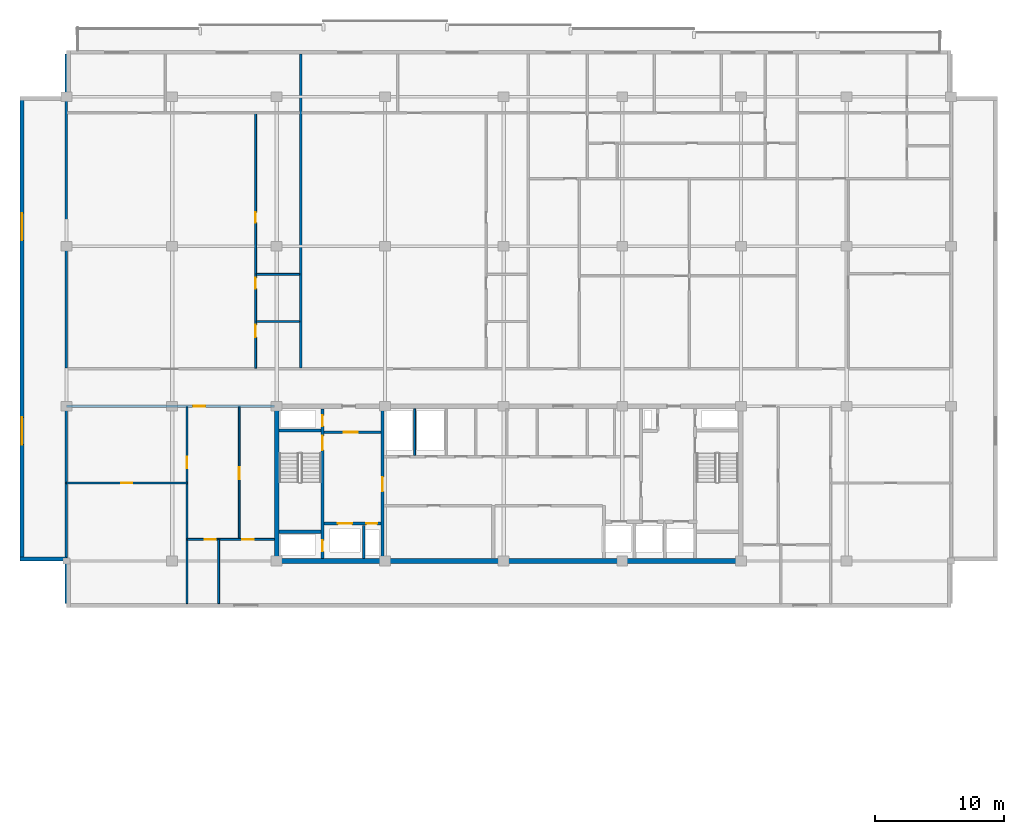
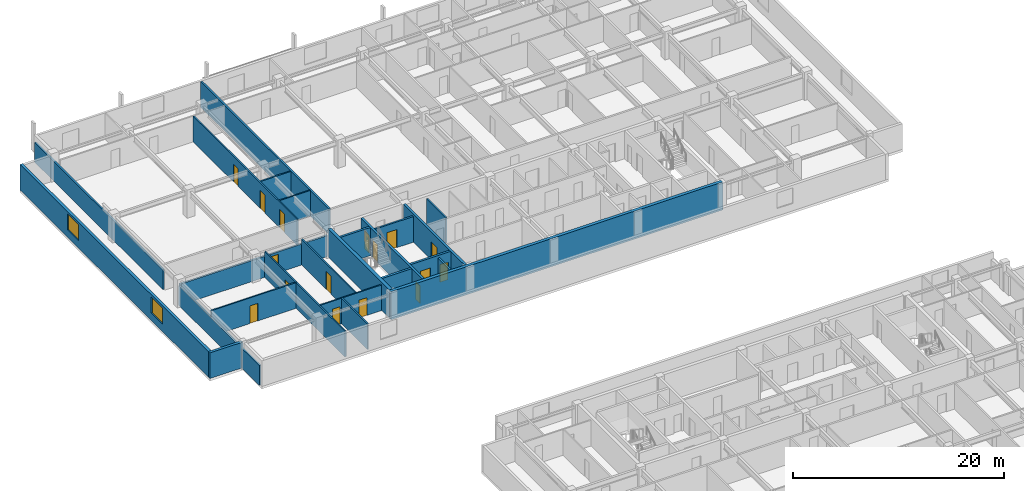
# One storey, part 11 of 22: 24 walls, 16 doors, 2 windows, 18 openings.
"""IFC4 building model written with IfcOpenShell, lengths in metres."""

from ifc_helpers import new_model, si_unit, direction, frame, frame_2d, origin, place, context, subcontext, project, spatial, rectangle, extrude, material, layer, layer_set, type_object, element, fill, save


model = new_model("IFC4")

# Units and contexts
model_context = context("Model", 3, precision=1e-05, world=origin(), true_north=direction((0.0, 1.0)))
body_context = subcontext(model_context, "Body", "Model", "MODEL_VIEW")
ifc_project = project(units=[si_unit("LENGTHUNIT", "METRE"), si_unit("AREAUNIT", "SQUARE_METRE"), si_unit("VOLUMEUNIT", "CUBIC_METRE"), si_unit("PLANEANGLEUNIT", "RADIAN"), si_unit("MASSUNIT", "GRAM", prefix="KILO")], contexts=[model_context])

# Site, building, storey
site_placement = place(None, origin())
site = spatial("IfcSite", under=ifc_project, at=site_placement, CompositionType="ELEMENT")
building_placement = place(site_placement, origin())
building = spatial("IfcBuilding", under=site, at=building_placement, Name="Korimba Cascade Residences", CompositionType="ELEMENT")
storey_placement = place(building_placement, frame((0.0, 0.0, 191.35009765625)))
storey = spatial("IfcBuildingStorey", under=building, at=storey_placement, Name="L55", CompositionType="ELEMENT", Elevation=191.35009765625)

# Wall, openings, windows
ifc_material_1 = material(Name="Precast concrete C40/50", Category="concrete")
ifc_layer_1 = layer(ifc_material_1, 0.300048828125)
ifc_layer_set_1 = layer_set([ifc_layer_1], Name="Precast concrete C40/50")
wall_type_1 = type_object("IfcWallType", Name="EW-STONE-300", PredefinedType="STANDARD", material=ifc_layer_set_1)
wall_1_placement = place(storey_placement, frame((56.35009765625, 91.199951171875, 0.0), z_axis=(0.0, 0.0, 1.0), x_axis=(0.0, -1.0, 0.0)))
wall_1 = element("IfcWall", 1, at=wall_1_placement, inside=storey, type_object=wall_type_1, Name="L55 T1 Perimeter Stone Wall E09", PredefinedType="STANDARD", context=body_context, shape_type="SweptSolid", body=[
    extrude(rectangle(XDim=36.0, YDim=0.300048828125, at=frame_2d((18.0, 0.0))), origin(), (0.0, 0.0, 1.0), 2.969970703125),
])
opening_1_placement = place(wall_1_placement, frame((9.030029296875, 0.0, 0.85009765625)))
opening_1 = element("IfcOpeningElement", 2, at=opening_1_placement, cuts=wall_1, Name="Opening W-03", PredefinedType="OPENING", context=body_context, shape_type="SweptSolid", body=[
    extrude(rectangle(XDim=2.10009765625, YDim=1.85009765625, at=frame_2d((1.050048828125, 0.925048828125))), frame((0.0, 0.16015625, 0.0), z_axis=(0.0, -1.0, 0.0), x_axis=(1.0, 0.0, 0.0)), (0.0, 0.0, 1.0), 0.320068359375),
])
opening_2_placement = place(wall_1_placement, frame((24.8701171875, 0.0, 0.85009765625)))
opening_2 = element("IfcOpeningElement", 3, at=opening_2_placement, cuts=wall_1, Name="Opening W-03", PredefinedType="OPENING", context=body_context, shape_type="SweptSolid", body=[
    extrude(rectangle(XDim=2.10009765625, YDim=1.85009765625, at=frame_2d((1.050048828125, 0.925048828125))), frame((0.0, 0.16015625, 0.0), z_axis=(0.0, -1.0, 0.0), x_axis=(1.0, 0.0, 0.0)), (0.0, 0.0, 1.0), 0.320068359375),
])
ifc_material_2 = material(Name="Double-Glazed Aluminium Window", Category="aluminium")
window_type = type_object("IfcWindowType", Name="WIN-CRN-2100", PartitioningType="DOUBLE_PANEL_HORIZONTAL", PredefinedType="WINDOW", material=ifc_material_2)
window_1_placement = place(opening_1_placement, origin())
window_1 = element("IfcWindow", 4, at=window_1_placement, inside=storey, type_object=window_type, Name="L55 T1 End View Window 9.1", OverallHeight=1.85009765625, OverallWidth=2.10009765625, PartitioningType="DOUBLE_PANEL_HORIZONTAL", PredefinedType="WINDOW", context=body_context, shape_type="SweptSolid", body=[
    extrude(rectangle(XDim=2.10009765625, YDim=1.85009765625, at=frame_2d((1.050048828125, 0.925048828125))), frame((0.0, 0.030029296875, 0.0), z_axis=(0.0, -1.0, 0.0), x_axis=(1.0, 0.0, 0.0)), (0.0, 0.0, 1.0), 0.06005859375),
])
fill(opening_1, window_1)
window_2_placement = place(opening_2_placement, origin())
window_2 = element("IfcWindow", 5, at=window_2_placement, inside=storey, type_object=window_type, Name="L55 T1 End View Window 9.2", OverallHeight=1.85009765625, OverallWidth=2.10009765625, PartitioningType="DOUBLE_PANEL_HORIZONTAL", PredefinedType="WINDOW", context=body_context, shape_type="SweptSolid", body=[
    extrude(rectangle(XDim=2.10009765625, YDim=1.85009765625, at=frame_2d((1.050048828125, 0.925048828125))), frame((0.0, 0.030029296875, 0.0), z_axis=(0.0, -1.0, 0.0), x_axis=(1.0, 0.0, 0.0)), (0.0, 0.0, 1.0), 0.06005859375),
])
fill(opening_2, window_2)

# Walls
wall_2_placement = place(storey_placement, frame((56.199951171875, 55.35009765625, 0.0), z_axis=(0.0, 0.0, 1.0), x_axis=(1.0, 0.0, 0.0)))
element("IfcWall", 6, at=wall_2_placement, inside=storey, type_object=wall_type_1, Name="L55 T1 Perimeter Stone Wall E10", PredefinedType="STANDARD", context=body_context, shape_type="SweptSolid", body=[
    extrude(rectangle(XDim=3.60009765625, YDim=0.300048828125, at=frame_2d((1.800048828125, 0.0))), origin(), (0.0, 0.0, 1.0), 2.969970703125),
])
ifc_material_3 = material(Name="Concrete C65/80", Category="concrete")
ifc_layer_2 = layer(ifc_material_3, 0.35009765625)
ifc_layer_set_2 = layer_set([ifc_layer_2], Name="Concrete C65/80")
wall_type_2 = type_object("IfcWallType", Name="WAL-CORE-350", PredefinedType="SHEAR", material=ifc_layer_set_2)
wall_3_placement = place(storey_placement, frame((75.949951171875, 55.199951171875, 0.0), z_axis=(0.0, 0.0, 1.0), x_axis=(1.0, 0.0, 0.0)))
element("IfcWall", 7, at=wall_3_placement, inside=storey, type_object=wall_type_2, Name="L55 Core Shear Wall CW-L55-T1-S", PredefinedType="SHEAR", context=body_context, shape_type="SweptSolid", body=[
    extrude(rectangle(XDim=36.300048828125, YDim=0.35009765625, at=frame_2d((18.14990234375, 0.0))), origin(), (0.0, 0.0, 1.0), 3.25),
])
wall_4_placement = place(storey_placement, frame((76.125, 55.375, 0.0), z_axis=(0.0, 0.0, 1.0), x_axis=(0.0, 1.0, 0.0)))
element("IfcWall", 8, at=wall_4_placement, inside=storey, type_object=wall_type_2, Name="L55 Core Shear Wall CW-L55-T1-W", PredefinedType="SHEAR", context=body_context, shape_type="SweptSolid", body=[
    extrude(rectangle(XDim=11.64990234375, YDim=0.35009765625, at=frame_2d((5.824951171875, 0.0))), origin(), (0.0, 0.0, 1.0), 3.25),
])
ifc_layer_3 = layer(ifc_material_1, 0.199951171875)
ifc_layer_set_3 = layer_set([ifc_layer_3], Name="Precast concrete C40/50")
wall_type_3 = type_object("IfcWallType", Name="WAL-IT-200", PredefinedType="PARTITIONING", material=ifc_layer_set_3)
wall_5_placement = place(storey_placement, frame((59.800048828125, 51.89990234375, 0.0), z_axis=(0.0, 0.0, 1.0), x_axis=(0.0, 1.0, 0.0)))
element("IfcWall", 9, at=wall_5_placement, inside=storey, type_object=wall_type_3, Name="L55 Partition Wall WAL-L55-T1-FW-WL", PredefinedType="PARTITIONING", context=body_context, shape_type="SweptSolid", body=[
    extrude(rectangle(XDim=15.300048828125, YDim=0.199951171875, at=frame_2d((7.64990234375, 0.0))), origin(), (0.0, 0.0, 1.0), 2.277099609375),
])

# Wall, opening, door
wall_6_placement = place(storey_placement, frame((59.800048828125, 67.199951171875, 0.0), z_axis=(0.0, 0.0, 1.0), x_axis=(1.0, 0.0, 0.0)))
wall_6 = element("IfcWall", 10, at=wall_6_placement, inside=storey, type_object=wall_type_3, Name="L55 Partition Wall WAL-L55-T1-FW-N", PredefinedType="PARTITIONING", context=body_context, shape_type="SweptSolid", body=[
    extrude(rectangle(XDim=16.14990234375, YDim=0.199951171875, at=frame_2d((8.074951171875, 0.0))), origin(), (0.0, 0.0, 1.0), 2.43310546875),
])
opening_3_placement = place(wall_6_placement, frame((9.823486328125, 0.0, 0.0)))
opening_3 = element("IfcOpeningElement", 11, at=opening_3_placement, cuts=wall_6, Name="Opening D-UN1", PredefinedType="OPENING", context=body_context, shape_type="SweptSolid", body=[
    extrude(rectangle(XDim=0.949951171875, YDim=2.14990234375, at=frame_2d((0.47509765625, 1.074951171875))), frame((0.0, 0.10986328125, 0.0), z_axis=(0.0, -1.0, 0.0), x_axis=(1.0, 0.0, 0.0)), (0.0, 0.0, 1.0), 0.219970703125),
])
ifc_material_4 = material(Name="Fire-Rated Hardwood Apartment Entrance Door", Category="wood")
door_type_1 = type_object("IfcDoorType", Name="DR-FD60-950", OperationType="NOTDEFINED", PredefinedType="DOOR", material=ifc_material_4)
door_1_placement = place(opening_3_placement, origin())
door_1 = element("IfcDoor", 12, at=door_1_placement, inside=storey, type_object=door_type_1, Name="L55-T1-FW Entrance Door", OperationType="SINGLE_SWING_RIGHT", OverallHeight=2.14990234375, OverallWidth=0.949951171875, PredefinedType="DOOR", context=body_context, shape_type="SweptSolid", body=[
    extrude(rectangle(XDim=0.949951171875, YDim=2.14990234375, at=frame_2d((0.47509765625, 1.074951171875))), frame((0.0, 0.02490234375, 0.0), z_axis=(0.0, -1.0, 0.0), x_axis=(1.0, 0.0, 0.0)), (0.0, 0.0, 1.0), 0.050048828125),
])
fill(opening_3, door_1)

# Walls
wall_7_placement = place(storey_placement, frame((59.800048828125, 70.179931640625, 0.0), z_axis=(0.0, 0.0, 1.0), x_axis=(0.0, 1.0, 0.0)))
element("IfcWall", 13, at=wall_7_placement, inside=storey, type_object=wall_type_3, Name="L55 Partition Wall WAL-L55-T1-BNDWL", PredefinedType="PARTITIONING", context=body_context, shape_type="SweptSolid", body=[
    extrude(rectangle(XDim=24.320068359375, YDim=0.199951171875, at=frame_2d((12.16015625, 0.0))), origin(), (0.0, 0.0, 1.0), 2.277099609375),
])
wall_8_placement = place(storey_placement, frame((77.96826171875, 70.179931640625, 0.0), z_axis=(0.0, 0.0, 1.0), x_axis=(0.0, 1.0, 0.0)))
element("IfcWall", 14, at=wall_8_placement, inside=storey, type_object=wall_type_3, Name="L55 Partition Wall WAL-L55-T1-DEM-1", PredefinedType="PARTITIONING", context=body_context, shape_type="SweptSolid", body=[
    extrude(rectangle(XDim=24.320068359375, YDim=0.199951171875, at=frame_2d((12.16015625, 0.0))), origin(), (0.0, 0.0, 1.0), 2.969970703125),
])
ifc_material_5 = material(Name="Insulated Acoustic Stud Partition", Category="gypsum")
ifc_layer_4 = layer(ifc_material_5, 0.14990234375)
ifc_layer_set_4 = layer_set([ifc_layer_4], Name="Insulated Acoustic Stud Partition")
wall_type_4 = type_object("IfcWallType", Name="WAL-PART-150", PredefinedType="PARTITIONING", material=ifc_layer_set_4)
wall_9_placement = place(storey_placement, frame((86.800048828125, 63.39990234375, 0.0), z_axis=(0.0, 0.0, 1.0), x_axis=(0.0, 1.0, 0.0)))
element("IfcWall", 15, at=wall_9_placement, inside=storey, type_object=wall_type_4, Name="L55 Partition Wall CW-L55-T1-ERDIV", PredefinedType="PARTITIONING", context=body_context, shape_type="SweptSolid", body=[
    extrude(rectangle(XDim=3.60009765625, YDim=0.14990234375, at=frame_2d((1.800048828125, 0.0))), origin(), (0.0, 0.0, 1.0), 2.969970703125),
])

# Wall, opening, door
wall_10_placement = place(storey_placement, frame((59.800048828125, 61.25, 0.0), z_axis=(0.0, 0.0, 1.0), x_axis=(1.0, 0.0, 0.0)))
wall_10 = element("IfcWall", 16, at=wall_10_placement, inside=storey, type_object=wall_type_4, Name="L55 Partition Wall WAL-L55-T1-FW-STH", PredefinedType="PARTITIONING", context=body_context, shape_type="SweptSolid", body=[
    extrude(rectangle(XDim=9.349853515625, YDim=0.14990234375, at=frame_2d((4.6748046875, 0.0))), origin(), (0.0, 0.0, 1.0), 2.969970703125),
])
opening_4_placement = place(wall_10_placement, frame((4.2548828125, 0.0, 0.0)))
opening_4 = element("IfcOpeningElement", 17, at=opening_4_placement, cuts=wall_10, Name="Opening D-BT1", PredefinedType="OPENING", context=body_context, shape_type="SweptSolid", body=[
    extrude(rectangle(XDim=0.840087890625, YDim=2.0400390625, at=frame_2d((0.419921875, 1.02001953125))), frame((0.0, 0.0849609375, 0.0), z_axis=(0.0, -1.0, 0.0), x_axis=(1.0, 0.0, 0.0)), (0.0, 0.0, 1.0), 0.169921875),
])
ifc_material_6 = material(Name="Moisture-Resistant Bathroom Timber Door", Category="wood")
door_type_2 = type_object("IfcDoorType", Name="DR-INT-850", OperationType="NOTDEFINED", PredefinedType="DOOR", material=ifc_material_6)
door_2_placement = place(opening_4_placement, origin())
door_2 = element("IfcDoor", 18, at=door_2_placement, inside=storey, type_object=door_type_2, Name="L55-T1-FW Dressing Store Door", OperationType="SINGLE_SWING_LEFT", OverallHeight=2.0400390625, OverallWidth=0.840087890625, PredefinedType="DOOR", context=body_context, shape_type="SweptSolid", body=[
    extrude(rectangle(XDim=0.840087890625, YDim=2.0400390625, at=frame_2d((0.419921875, 1.02001953125))), frame((0.0, 0.02490234375, 0.0), z_axis=(0.0, -1.0, 0.0), x_axis=(1.0, 0.0, 0.0)), (0.0, 0.0, 1.0), 0.050048828125),
])
fill(opening_4, door_2)

wall_11_placement = place(storey_placement, frame((69.14990234375, 51.89990234375, 0.0), z_axis=(0.0, 0.0, 1.0), x_axis=(0.0, 1.0, 0.0)))
wall_11 = element("IfcWall", 19, at=wall_11_placement, inside=storey, type_object=wall_type_4, Name="L55 Partition Wall WAL-L55-T1-FW-STV", PredefinedType="PARTITIONING", context=body_context, shape_type="SweptSolid", body=[
    extrude(rectangle(XDim=15.25, YDim=0.14990234375, at=frame_2d((7.625, 0.0))), origin(), (0.0, 0.0, 1.0), 2.969970703125),
])
opening_5_placement = place(wall_11_placement, frame((10.5, 0.0, 0.0)))
opening_5 = element("IfcOpeningElement", 20, at=opening_5_placement, cuts=wall_11, Name="Opening D-IN2", PredefinedType="OPENING", context=body_context, shape_type="SweptSolid", body=[
    extrude(rectangle(XDim=0.8798828125, YDim=2.06005859375, at=frame_2d((0.43994140625, 1.030029296875))), frame((0.0, 0.0849609375, 0.0), z_axis=(0.0, -1.0, 0.0), x_axis=(1.0, 0.0, 0.0)), (0.0, 0.0, 1.0), 0.169921875),
])
ifc_material_7 = material(Name="Acoustic Timber Bedroom Door", Category="wood")
door_type_3 = type_object("IfcDoorType", Name="DR-INT-880", OperationType="NOTDEFINED", PredefinedType="DOOR", material=ifc_material_7)
door_3_placement = place(opening_5_placement, origin())
door_3 = element("IfcDoor", 21, at=door_3_placement, inside=storey, type_object=door_type_3, Name="L55-T1-FW Study Door", OperationType="SINGLE_SWING_RIGHT", OverallHeight=2.06005859375, OverallWidth=0.8798828125, PredefinedType="DOOR", context=body_context, shape_type="SweptSolid", body=[
    extrude(rectangle(XDim=0.8798828125, YDim=2.06005859375, at=frame_2d((0.43994140625, 1.030029296875))), frame((0.0, 0.02490234375, 0.0), z_axis=(0.0, -1.0, 0.0), x_axis=(1.0, 0.0, 0.0)), (0.0, 0.0, 1.0), 0.050048828125),
])
fill(opening_5, door_3)

wall_12_placement = place(storey_placement, frame((73.199951171875, 56.8701171875, 0.0), z_axis=(0.0, 0.0, 1.0), x_axis=(0.0, 1.0, 0.0)))
wall_12 = element("IfcWall", 22, at=wall_12_placement, inside=storey, type_object=wall_type_4, Name="L55 Partition Wall WAL-L55-T1-FW-VN", PredefinedType="PARTITIONING", context=body_context, shape_type="SweptSolid", body=[
    extrude(rectangle(XDim=10.27978515625, YDim=0.14990234375, at=frame_2d((5.139892578125, 0.0))), origin(), (0.0, 0.0, 1.0), 2.969970703125),
])
opening_6_placement = place(wall_12_placement, frame((4.679931640625, 0.0, 0.0)))
opening_6 = element("IfcOpeningElement", 23, at=opening_6_placement, cuts=wall_12, Name="Opening D-IN1", PredefinedType="OPENING", context=body_context, shape_type="SweptSolid", body=[
    extrude(rectangle(XDim=0.919921875, YDim=2.080078125, at=frame_2d((0.4599609375, 1.0400390625))), frame((0.0, 0.0849609375, 0.0), z_axis=(0.0, -1.0, 0.0), x_axis=(1.0, 0.0, 0.0)), (0.0, 0.0, 1.0), 0.169921875),
])
ifc_material_8 = material(Name="Acoustic Timber Living Door", Category="wood")
door_type_4 = type_object("IfcDoorType", Name="DR-INT-920", OperationType="NOTDEFINED", PredefinedType="DOOR", material=ifc_material_8)
door_4_placement = place(opening_6_placement, origin())
door_4 = element("IfcDoor", 24, at=door_4_placement, inside=storey, type_object=door_type_4, Name="L55-T1-FW Living Door", OperationType="SINGLE_SWING_LEFT", OverallHeight=2.080078125, OverallWidth=0.919921875, PredefinedType="DOOR", context=body_context, shape_type="SweptSolid", body=[
    extrude(rectangle(XDim=0.919921875, YDim=2.080078125, at=frame_2d((0.4599609375, 1.0400390625))), frame((0.0, 0.02490234375, 0.0), z_axis=(0.0, -1.0, 0.0), x_axis=(1.0, 0.0, 0.0)), (0.0, 0.0, 1.0), 0.050048828125),
])
fill(opening_6, door_4)

# Wall
wall_13_placement = place(storey_placement, frame((71.60009765625, 51.89990234375, 0.0), z_axis=(0.0, 0.0, 1.0), x_axis=(0.0, 1.0, 0.0)))
element("IfcWall", 25, at=wall_13_placement, inside=storey, type_object=wall_type_4, Name="L55 Partition Wall WAL-L55-T1-FW-VS", PredefinedType="PARTITIONING", context=body_context, shape_type="SweptSolid", body=[
    extrude(rectangle(XDim=4.97021484375, YDim=0.14990234375, at=frame_2d((2.485107421875, 0.0))), origin(), (0.0, 0.0, 1.0), 2.969970703125),
])

# Wall, openings, doors
wall_14_placement = place(storey_placement, frame((69.169921875, 56.8701171875, 0.0), z_axis=(0.0, 0.0, 1.0), x_axis=(1.0, 0.0, 0.0)))
wall_14 = element("IfcWall", 26, at=wall_14_placement, inside=storey, type_object=wall_type_4, Name="L55 Partition Wall WAL-L55-T1-FW-H", PredefinedType="PARTITIONING", context=body_context, shape_type="SweptSolid", body=[
    extrude(rectangle(XDim=6.760009765625, YDim=0.14990234375, at=frame_2d((3.3798828125, 0.0))), origin(), (0.0, 0.0, 1.0), 2.969970703125),
])
opening_7_placement = place(wall_14_placement, frame((1.3623046875, 0.0, 0.0)))
opening_7 = element("IfcOpeningElement", 27, at=opening_7_placement, cuts=wall_14, Name="Opening D-BT1", PredefinedType="OPENING", context=body_context, shape_type="SweptSolid", body=[
    extrude(rectangle(XDim=0.840087890625, YDim=2.0400390625, at=frame_2d((0.419921875, 1.02001953125))), frame((0.0, 0.0849609375, 0.0), z_axis=(0.0, -1.0, 0.0), x_axis=(1.0, 0.0, 0.0)), (0.0, 0.0, 1.0), 0.169921875),
])
opening_8_placement = place(wall_14_placement, frame((4.276611328125, 0.0, 0.0)))
opening_8 = element("IfcOpeningElement", 28, at=opening_8_placement, cuts=wall_14, Name="Opening D-IN2", PredefinedType="OPENING", context=body_context, shape_type="SweptSolid", body=[
    extrude(rectangle(XDim=0.8798828125, YDim=2.06005859375, at=frame_2d((0.43994140625, 1.030029296875))), frame((0.0, 0.0849609375, 0.0), z_axis=(0.0, -1.0, 0.0), x_axis=(1.0, 0.0, 0.0)), (0.0, 0.0, 1.0), 0.169921875),
])
door_5_placement = place(opening_7_placement, origin())
door_5 = element("IfcDoor", 29, at=door_5_placement, inside=storey, type_object=door_type_2, Name="L55-T1-FW Bathroom Door", OperationType="SINGLE_SWING_RIGHT", OverallHeight=2.0400390625, OverallWidth=0.840087890625, PredefinedType="DOOR", context=body_context, shape_type="SweptSolid", body=[
    extrude(rectangle(XDim=0.840087890625, YDim=2.0400390625, at=frame_2d((0.419921875, 1.02001953125))), frame((0.0, 0.02490234375, 0.0), z_axis=(0.0, -1.0, 0.0), x_axis=(1.0, 0.0, 0.0)), (0.0, 0.0, 1.0), 0.050048828125),
])
fill(opening_7, door_5)
door_6_placement = place(opening_8_placement, origin())
door_6 = element("IfcDoor", 30, at=door_6_placement, inside=storey, type_object=door_type_3, Name="L55-T1-FW Bedroom Door", OperationType="SINGLE_SWING_LEFT", OverallHeight=2.06005859375, OverallWidth=0.8798828125, PredefinedType="DOOR", context=body_context, shape_type="SweptSolid", body=[
    extrude(rectangle(XDim=0.8798828125, YDim=2.06005859375, at=frame_2d((0.43994140625, 1.030029296875))), frame((0.0, 0.02490234375, 0.0), z_axis=(0.0, -1.0, 0.0), x_axis=(1.0, 0.0, 0.0)), (0.0, 0.0, 1.0), 0.050048828125),
])
fill(opening_8, door_6)

# Walls
for number, where, z_axis, x_axis, name in (
    (31, (74.5283203125, 73.77001953125, 0.0), (0.0, 0.0, 1.0), (1.0, 0.0, 0.0), "L55 Partition Wall WAL-L55-T1-U01-WCH"),
    (32, (74.5283203125, 77.419921875, 0.0), (0.0, 0.0, 1.0), (1.0, 0.0, 0.0), "L55 Partition Wall WAL-L55-T1-U01-WCH2"),
):
    element("IfcWall", number, at=place(storey_placement, frame(where, z_axis=z_axis, x_axis=x_axis)), inside=storey, type_object=wall_type_4, Name=name, PredefinedType="PARTITIONING", context=body_context, shape_type="SweptSolid", body=[
        extrude(rectangle(XDim=3.35986328125, YDim=0.14990234375, at=frame_2d((1.679931640625, 0.0))), origin(), (0.0, 0.0, 1.0), 2.969970703125),
    ])

# Wall, openings, doors
wall_15_placement = place(storey_placement, frame((74.46826171875, 70.159912109375, 0.0), z_axis=(0.0, 0.0, 1.0), x_axis=(0.0, 1.0, 0.0)))
wall_15 = element("IfcWall", 33, at=wall_15_placement, inside=storey, type_object=wall_type_4, Name="L55 Partition Wall WAL-L55-T1-U01-WCV", PredefinedType="PARTITIONING", context=body_context, shape_type="SweptSolid", body=[
    extrude(rectangle(XDim=19.72998046875, YDim=0.14990234375, at=frame_2d((9.864990234375, 0.0))), origin(), (0.0, 0.0, 1.0), 2.969970703125),
])
opening_9_placement = place(wall_15_placement, frame((2.406005859375, 0.0, 0.0)))
opening_9 = element("IfcOpeningElement", 34, at=opening_9_placement, cuts=wall_15, Name="Opening D-AC1", PredefinedType="OPENING", context=body_context, shape_type="SweptSolid", body=[
    extrude(rectangle(XDim=0.9599609375, YDim=2.10009765625, at=frame_2d((0.47998046875, 1.050048828125))), frame((0.0, 0.0849609375, 0.0), z_axis=(0.0, -1.0, 0.0), x_axis=(1.0, 0.0, 0.0)), (0.0, 0.0, 1.0), 0.169921875),
])
opening_10_placement = place(wall_15_placement, frame((6.132568359375, 0.0, 0.0)))
opening_10 = element("IfcOpeningElement", 35, at=opening_10_placement, cuts=wall_15, Name="Opening D-IN2", PredefinedType="OPENING", context=body_context, shape_type="SweptSolid", body=[
    extrude(rectangle(XDim=0.8798828125, YDim=2.06005859375, at=frame_2d((0.43994140625, 1.030029296875))), frame((0.0, 0.0849609375, 0.0), z_axis=(0.0, -1.0, 0.0), x_axis=(1.0, 0.0, 0.0)), (0.0, 0.0, 1.0), 0.169921875),
])
opening_11_placement = place(wall_15_placement, frame((11.2578125, 0.0, 0.0)))
opening_11 = element("IfcOpeningElement", 36, at=opening_11_placement, cuts=wall_15, Name="Opening D-BT1", PredefinedType="OPENING", context=body_context, shape_type="SweptSolid", body=[
    extrude(rectangle(XDim=0.840087890625, YDim=2.0400390625, at=frame_2d((0.419921875, 1.02001953125))), frame((0.0, 0.0849609375, 0.0), z_axis=(0.0, -1.0, 0.0), x_axis=(1.0, 0.0, 0.0)), (0.0, 0.0, 1.0), 0.169921875),
])
ifc_material_9 = material(Name="Accessible Acoustic Timber WC Door", Category="wood")
door_type_5 = type_object("IfcDoorType", Name="DR-ACC-950", OperationType="NOTDEFINED", PredefinedType="DOOR", material=ifc_material_9)
door_7_placement = place(opening_9_placement, origin())
door_7 = element("IfcDoor", 37, at=door_7_placement, inside=storey, type_object=door_type_5, Name="L55-T1-U01 Accessible WC Door", OperationType="SINGLE_SWING_LEFT", OverallHeight=2.10009765625, OverallWidth=0.9599609375, PredefinedType="DOOR", context=body_context, shape_type="SweptSolid", body=[
    extrude(rectangle(XDim=0.9599609375, YDim=2.10009765625, at=frame_2d((0.47998046875, 1.050048828125))), frame((0.0, 0.02490234375, 0.0), z_axis=(0.0, -1.0, 0.0), x_axis=(1.0, 0.0, 0.0)), (0.0, 0.0, 1.0), 0.050048828125),
])
fill(opening_9, door_7)
door_8_placement = place(opening_11_placement, origin())
door_8 = element("IfcDoor", 38, at=door_8_placement, inside=storey, type_object=door_type_2, Name="L55-T1-U01 Suite Store Door", OperationType="SINGLE_SWING_LEFT", OverallHeight=2.0400390625, OverallWidth=0.840087890625, PredefinedType="DOOR", context=body_context, shape_type="SweptSolid", body=[
    extrude(rectangle(XDim=0.840087890625, YDim=2.0400390625, at=frame_2d((0.419921875, 1.02001953125))), frame((0.0, 0.02490234375, 0.0), z_axis=(0.0, -1.0, 0.0), x_axis=(1.0, 0.0, 0.0)), (0.0, 0.0, 1.0), 0.050048828125),
])
fill(opening_11, door_8)
door_9_placement = place(opening_10_placement, origin())
door_9 = element("IfcDoor", 39, at=door_9_placement, inside=storey, type_object=door_type_3, Name="L55-T1-U01 Restroom WC Door", OperationType="SINGLE_SWING_RIGHT", OverallHeight=2.06005859375, OverallWidth=0.8798828125, PredefinedType="DOOR", context=body_context, shape_type="SweptSolid", body=[
    extrude(rectangle(XDim=0.8798828125, YDim=2.06005859375, at=frame_2d((0.43994140625, 1.030029296875))), frame((0.0, 0.02490234375, 0.0), z_axis=(0.0, -1.0, 0.0), x_axis=(1.0, 0.0, 0.0)), (0.0, 0.0, 1.0), 0.050048828125),
])
fill(opening_10, door_9)

# Wall
ifc_material_10 = material(Name="Concrete C40/50", Category="concrete")
ifc_layer_5 = layer(ifc_material_10, 0.199951171875)
ifc_layer_set_5 = layer_set([ifc_layer_5], Name="Concrete C40/50")
wall_type_5 = type_object("IfcWallType", Name="WAL-PART-200", PredefinedType="PARTITIONING", material=ifc_layer_set_5)
wall_16_placement = place(storey_placement, frame((82.85009765625, 55.39990234375, 0.0), z_axis=(0.0, 0.0, 1.0), x_axis=(0.0, 1.0, 0.0)))
element("IfcWall", 40, at=wall_16_placement, inside=storey, type_object=wall_type_5, Name="L55 Partition Wall CW-L55-T1-FFLDIV", PredefinedType="PARTITIONING", context=body_context, shape_type="SweptSolid", body=[
    extrude(rectangle(XDim=2.56005859375, YDim=0.199951171875, at=frame_2d((1.280029296875, 0.0))), origin(), (0.0, 0.0, 1.0), 2.969970703125),
])

# Wall, opening, door
wall_17_placement = place(storey_placement, frame((79.7900390625, 65.179931640625, 0.0), z_axis=(0.0, 0.0, 1.0), x_axis=(1.0, 0.0, 0.0)))
wall_17 = element("IfcWall", 41, at=wall_17_placement, inside=storey, type_object=wall_type_5, Name="L55 Partition Wall CW-L55-T1-FFLN", PredefinedType="PARTITIONING", context=body_context, shape_type="SweptSolid", body=[
    extrude(rectangle(XDim=4.389892578125, YDim=0.199951171875, at=frame_2d((2.19482421875, 0.0))), origin(), (0.0, 0.0, 1.0), 2.969970703125),
])
opening_12_placement = place(wall_17_placement, frame((1.5, 0.0, 0.0)))
opening_12 = element("IfcOpeningElement", 42, at=opening_12_placement, cuts=wall_17, Name="Opening D-FD1", PredefinedType="OPENING", context=body_context, shape_type="SweptSolid", body=[
    extrude(rectangle(XDim=1.10009765625, YDim=2.10009765625, at=frame_2d((0.550048828125, 1.050048828125))), frame((0.0, 0.10986328125, 0.0), z_axis=(0.0, -1.0, 0.0), x_axis=(1.0, 0.0, 0.0)), (0.0, 0.0, 1.0), 0.219970703125),
])
ifc_material_11 = material(Name="Fire-Rated Steel Core Door", Category="steel")
door_type_6 = type_object("IfcDoorType", Name="DR-FD120-1100", OperationType="NOTDEFINED", PredefinedType="DOOR", material=ifc_material_11)
door_10_placement = place(opening_12_placement, origin())
door_10 = element("IfcDoor", 43, at=door_10_placement, inside=storey, type_object=door_type_6, Name="L55 West Firefighting Lobby Door", OperationType="SINGLE_SWING_RIGHT", OverallHeight=2.10009765625, OverallWidth=1.10009765625, PredefinedType="DOOR", context=body_context, shape_type="SweptSolid", body=[
    extrude(rectangle(XDim=1.10009765625, YDim=2.10009765625, at=frame_2d((0.550048828125, 1.050048828125))), frame((0.0, 0.02490234375, 0.0), z_axis=(0.0, -1.0, 0.0), x_axis=(1.0, 0.0, 0.0)), (0.0, 0.0, 1.0), 0.050048828125),
])
fill(opening_12, door_10)

# Wall, openings, doors
ifc_material_12 = material(Name="Concrete C50/60", Category="concrete")
ifc_layer_6 = layer(ifc_material_12, 0.25)
ifc_layer_set_6 = layer_set([ifc_layer_6], Name="Concrete C50/60")
wall_type_6 = type_object("IfcWallType", Name="WAL-SHAFT-250", PredefinedType="SHEAR", material=ifc_layer_set_6)
wall_18_placement = place(storey_placement, frame((79.6650390625, 55.39990234375, 0.0), z_axis=(0.0, 0.0, 1.0), x_axis=(0.0, 1.0, 0.0)))
wall_18 = element("IfcWall", 44, at=wall_18_placement, inside=storey, type_object=wall_type_6, Name="L55 Core Shear Wall CW-L55-T1-STW1E", PredefinedType="SHEAR", context=body_context, shape_type="SweptSolid", body=[
    extrude(rectangle(XDim=11.60009765625, YDim=0.25, at=frame_2d((5.800048828125, 0.0))), origin(), (0.0, 0.0, 1.0), 3.25),
])
opening_13_placement = place(wall_18_placement, frame((0.550048828125, 0.0, 0.0)))
opening_13 = element("IfcOpeningElement", 45, at=opening_13_placement, cuts=wall_18, Name="Opening D-RS1", PredefinedType="OPENING", context=body_context, shape_type="SweptSolid", body=[
    extrude(rectangle(XDim=0.85009765625, YDim=2.050048828125, at=frame_2d((0.425048828125, 1.02490234375))), frame((0.0, 0.135009765625, 0.0), z_axis=(0.0, -1.0, 0.0), x_axis=(1.0, 0.0, 0.0)), (0.0, 0.0, 1.0), 0.27001953125),
])
opening_14_placement = place(wall_18_placement, frame((8.39990234375, 0.0, 0.0)))
opening_14 = element("IfcOpeningElement", 46, at=opening_14_placement, cuts=wall_18, Name="Opening D-FD1", PredefinedType="OPENING", context=body_context, shape_type="SweptSolid", body=[
    extrude(rectangle(XDim=1.10009765625, YDim=2.10009765625, at=frame_2d((0.550048828125, 1.050048828125))), frame((0.0, 0.135009765625, 0.0), z_axis=(0.0, -1.0, 0.0), x_axis=(1.0, 0.0, 0.0)), (0.0, 0.0, 1.0), 0.27001953125),
])
opening_15_placement = place(wall_18_placement, frame((10.25, 0.0, 0.0)))
opening_15 = element("IfcOpeningElement", 47, at=opening_15_placement, cuts=wall_18, Name="Opening D-RS1", PredefinedType="OPENING", context=body_context, shape_type="SweptSolid", body=[
    extrude(rectangle(XDim=0.85009765625, YDim=2.050048828125, at=frame_2d((0.425048828125, 1.02490234375))), frame((0.0, 0.135009765625, 0.0), z_axis=(0.0, -1.0, 0.0), x_axis=(1.0, 0.0, 0.0)), (0.0, 0.0, 1.0), 0.27001953125),
])
door_11_placement = place(opening_14_placement, origin())
door_11 = element("IfcDoor", 48, at=door_11_placement, inside=storey, type_object=door_type_6, Name="L55 Fire Stair ST-W1 Door", OperationType="SINGLE_SWING_LEFT", OverallHeight=2.10009765625, OverallWidth=1.10009765625, PredefinedType="DOOR", context=body_context, shape_type="SweptSolid", body=[
    extrude(rectangle(XDim=1.10009765625, YDim=2.10009765625, at=frame_2d((0.550048828125, 1.050048828125))), frame((0.0, 0.02490234375, 0.0), z_axis=(0.0, -1.0, 0.0), x_axis=(1.0, 0.0, 0.0)), (0.0, 0.0, 1.0), 0.050048828125),
])
fill(opening_14, door_11)
ifc_material_13 = material(Name="Fire-Rated Steel Riser Access Door", Category="steel")
door_type_7 = type_object("IfcDoorType", Name="DR-FD60-850", OperationType="NOTDEFINED", PredefinedType="DOOR", material=ifc_material_13)
door_12_placement = place(opening_13_placement, origin())
door_12 = element("IfcDoor", 49, at=door_12_placement, inside=storey, type_object=door_type_7, Name="L55 Smoke Riser Access Door", OperationType="SINGLE_SWING_RIGHT", OverallHeight=2.050048828125, OverallWidth=0.85009765625, PredefinedType="DOOR", context=body_context, shape_type="SweptSolid", body=[
    extrude(rectangle(XDim=0.85009765625, YDim=2.050048828125, at=frame_2d((0.425048828125, 1.02490234375))), frame((0.0, 0.02490234375, 0.0), z_axis=(0.0, -1.0, 0.0), x_axis=(1.0, 0.0, 0.0)), (0.0, 0.0, 1.0), 0.050048828125),
])
fill(opening_13, door_12)
door_13_placement = place(opening_15_placement, origin())
door_13 = element("IfcDoor", 50, at=door_13_placement, inside=storey, type_object=door_type_7, Name="L55 Hydrant Riser Access Door", OperationType="SINGLE_SWING_RIGHT", OverallHeight=2.050048828125, OverallWidth=0.85009765625, PredefinedType="DOOR", context=body_context, shape_type="SweptSolid", body=[
    extrude(rectangle(XDim=0.85009765625, YDim=2.050048828125, at=frame_2d((0.425048828125, 1.02490234375))), frame((0.0, 0.02490234375, 0.0), z_axis=(0.0, -1.0, 0.0), x_axis=(1.0, 0.0, 0.0)), (0.0, 0.0, 1.0), 0.050048828125),
])
fill(opening_15, door_13)

# Walls
for number, where, z_axis, x_axis, name in (
    (51, (76.300048828125, 57.47509765625, 0.0), (0.0, 0.0, 1.0), (1.0, 0.0, 0.0), "L55 Core Shear Wall CW-L55-T1-STW1S"),
    (52, (76.300048828125, 65.324951171875, 0.0), (0.0, 0.0, 1.0), (1.0, 0.0, 0.0), "L55 Core Shear Wall CW-L55-T1-STW1N"),
):
    element("IfcWall", number, at=place(storey_placement, frame(where, z_axis=z_axis, x_axis=x_axis)), inside=storey, type_object=wall_type_6, Name=name, PredefinedType="SHEAR", context=body_context, shape_type="SweptSolid", body=[
        extrude(rectangle(XDim=3.239990234375, YDim=0.25, at=frame_2d((1.6201171875, 0.0))), origin(), (0.0, 0.0, 1.0), 3.25),
    ])

# Wall, openings, doors
wall_19_placement = place(storey_placement, frame((79.7900390625, 58.10009765625, 0.0), z_axis=(0.0, 0.0, 1.0), x_axis=(1.0, 0.0, 0.0)))
wall_19 = element("IfcWall", 53, at=wall_19_placement, inside=storey, type_object=wall_type_6, Name="L55 Core Shear Wall CW-L55-T1-FFLS", PredefinedType="SHEAR", context=body_context, shape_type="SweptSolid", body=[
    extrude(rectangle(XDim=4.389892578125, YDim=0.25, at=frame_2d((2.19482421875, 0.0))), origin(), (0.0, 0.0, 1.0), 3.25),
])
opening_16_placement = place(wall_19_placement, frame((1.050048828125, 0.0, 0.0)))
opening_16 = element("IfcOpeningElement", 54, at=opening_16_placement, cuts=wall_19, Name="Opening LD-01", PredefinedType="OPENING", context=body_context, shape_type="SweptSolid", body=[
    extrude(rectangle(XDim=1.1201171875, YDim=2.1201171875, at=frame_2d((0.56005859375, 1.06005859375))), frame((0.0, 0.135009765625, 0.0), z_axis=(0.0, -1.0, 0.0), x_axis=(1.0, 0.0, 0.0)), (0.0, 0.0, 1.0), 0.27001953125),
])
opening_17_placement = place(wall_19_placement, frame((3.260009765625, 0.0, 0.0)))
opening_17 = element("IfcOpeningElement", 55, at=opening_17_placement, cuts=wall_19, Name="Opening D-RS1", PredefinedType="OPENING", context=body_context, shape_type="SweptSolid", body=[
    extrude(rectangle(XDim=0.85009765625, YDim=2.050048828125, at=frame_2d((0.425048828125, 1.02490234375))), frame((0.0, 0.135009765625, 0.0), z_axis=(0.0, -1.0, 0.0), x_axis=(1.0, 0.0, 0.0)), (0.0, 0.0, 1.0), 0.27001953125),
])
door_14_placement = place(opening_17_placement, origin())
door_14 = element("IfcDoor", 56, at=door_14_placement, inside=storey, type_object=door_type_7, Name="L55 Pressurisation Riser Door", OperationType="SINGLE_SWING_LEFT", OverallHeight=2.050048828125, OverallWidth=0.85009765625, PredefinedType="DOOR", context=body_context, shape_type="SweptSolid", body=[
    extrude(rectangle(XDim=0.85009765625, YDim=2.050048828125, at=frame_2d((0.425048828125, 1.02490234375))), frame((0.0, 0.02490234375, 0.0), z_axis=(0.0, -1.0, 0.0), x_axis=(1.0, 0.0, 0.0)), (0.0, 0.0, 1.0), 0.050048828125),
])
fill(opening_17, door_14)
ifc_material_14 = material(Name="Stainless Steel Lift Landing Sliding Door", Category="steel")
door_type_8 = type_object("IfcDoorType", Name="DR-LIFT-1100", OperationType="NOTDEFINED", PredefinedType="DOOR", material=ifc_material_14)
door_15_placement = place(opening_16_placement, origin())
door_15 = element("IfcDoor", 57, at=door_15_placement, inside=storey, type_object=door_type_8, Name="L55 Firefighting Lift Landing Door FFL-W1", OperationType="SLIDING_TO_LEFT", OverallHeight=2.1201171875, OverallWidth=1.1201171875, PredefinedType="DOOR", context=body_context, shape_type="SweptSolid", body=[
    extrude(rectangle(XDim=1.1201171875, YDim=2.1201171875, at=frame_2d((0.56005859375, 1.06005859375))), frame((0.0, 0.02490234375, 0.0), z_axis=(0.0, -1.0, 0.0), x_axis=(1.0, 0.0, 0.0)), (0.0, 0.0, 1.0), 0.050048828125),
])
fill(opening_16, door_15)

# Wall, opening, door
wall_20_placement = place(storey_placement, frame((84.300048828125, 55.39990234375, 0.0), z_axis=(0.0, 0.0, 1.0), x_axis=(0.0, 1.0, 0.0)))
wall_20 = element("IfcWall", 58, at=wall_20_placement, inside=storey, type_object=wall_type_6, Name="L55 Core Shear Wall CW-L55-T1-FFLE", PredefinedType="SHEAR", context=body_context, shape_type="SweptSolid", body=[
    extrude(rectangle(XDim=11.60009765625, YDim=0.25, at=frame_2d((5.800048828125, 0.0))), origin(), (0.0, 0.0, 1.0), 3.25),
])
opening_18_placement = place(wall_20_placement, frame((5.199951171875, 0.0, 0.0)))
opening_18 = element("IfcOpeningElement", 59, at=opening_18_placement, cuts=wall_20, Name="Opening D-FD1", PredefinedType="OPENING", context=body_context, shape_type="SweptSolid", body=[
    extrude(rectangle(XDim=1.10009765625, YDim=2.10009765625, at=frame_2d((0.550048828125, 1.050048828125))), frame((0.0, 0.135009765625, 0.0), z_axis=(0.0, -1.0, 0.0), x_axis=(1.0, 0.0, 0.0)), (0.0, 0.0, 1.0), 0.27001953125),
])
door_16_placement = place(opening_18_placement, origin())
door_16 = element("IfcDoor", 60, at=door_16_placement, inside=storey, type_object=door_type_6, Name="L55 Firefighting Lobby to Lift Lobby Door", OperationType="SINGLE_SWING_LEFT", OverallHeight=2.10009765625, OverallWidth=1.10009765625, PredefinedType="DOOR", context=body_context, shape_type="SweptSolid", body=[
    extrude(rectangle(XDim=1.10009765625, YDim=2.10009765625, at=frame_2d((0.550048828125, 1.050048828125))), frame((0.0, 0.02490234375, 0.0), z_axis=(0.0, -1.0, 0.0), x_axis=(1.0, 0.0, 0.0)), (0.0, 0.0, 1.0), 0.050048828125),
])
fill(opening_18, door_16)

save(model, "model.ifc")
